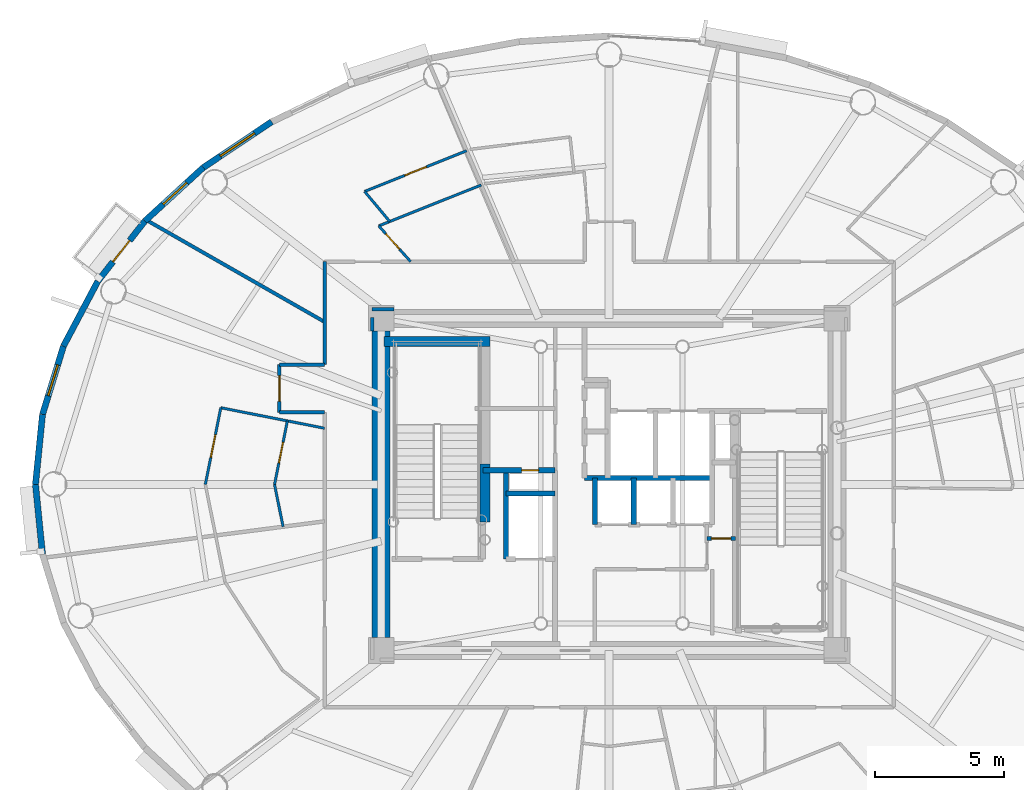
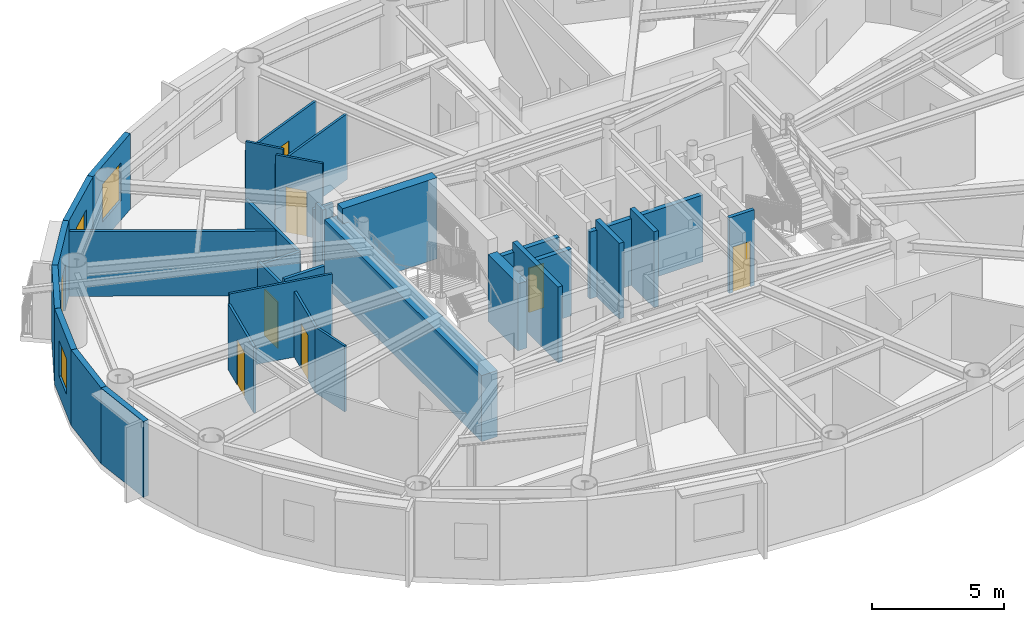
# One storey, part 7 of 17: 32 walls, 8 doors, 3 windows, 11 openings.
"""IFC4 building model written with IfcOpenShell, lengths in metres."""

from ifc_helpers import new_model, si_unit, direction, frame, frame_2d, origin, origin_2d, place, context, subcontext, project, spatial, rectangle, extrude, source, transform, mapped, material, layer, layer_set, type_object, element, fill, save


model = new_model("IFC4")

# Units and contexts
model_context = context("Model", 3, precision=1e-05, world=origin(), true_north=direction((0.0, 1.0)))
body_context = subcontext(model_context, "Body", "Model", "MODEL_VIEW")
ifc_project = project(units=[si_unit("LENGTHUNIT", "METRE"), si_unit("AREAUNIT", "SQUARE_METRE"), si_unit("VOLUMEUNIT", "CUBIC_METRE"), si_unit("PLANEANGLEUNIT", "RADIAN"), si_unit("MASSUNIT", "GRAM", prefix="KILO")], contexts=[model_context])

# Site, building, storey
site_placement = place(None, origin())
site = spatial("IfcSite", under=ifc_project, at=site_placement, CompositionType="ELEMENT")
building_placement = place(site_placement, origin())
building = spatial("IfcBuilding", under=site, at=building_placement, Name="Linh Dai School and Residence Tower", CompositionType="ELEMENT")
storey_placement = place(building_placement, frame((0.0, 0.0, 299.25)))
storey = spatial("IfcBuildingStorey", under=building, at=storey_placement, Name="L74", CompositionType="ELEMENT", Elevation=299.25)

# Wall, opening, window
ifc_material_1 = material(Name="Precast Concrete B45 (C35/45)", Category="concrete")
ifc_layer_1 = layer(ifc_material_1, 0.239990234375)
ifc_layer_set_1 = layer_set([ifc_layer_1], Name="Precast Concrete B45 (C35/45)")
wall_type_1 = type_object("IfcWallType", Name="EW-TC-240", PredefinedType="SOLIDWALL", material=ifc_layer_set_1)
wall_1_placement = place(storey_placement, frame((20.23779296875, 39.30419921875, 0.0), z_axis=(0.0, 0.0, 1.0), x_axis=(0.831250592635, 0.55589787933, 0.0)))
wall_1 = element("IfcWall", 1, at=wall_1_placement, inside=storey, type_object=wall_type_1, Name="L74 Terracotta Exterior Wall 15", PredefinedType="SOLIDWALL", context=body_context, shape_type="SweptSolid", body=[
    extrude(rectangle(XDim=3.197265625, YDim=0.239990234375, at=frame_2d((1.5986328125, 0.0))), origin(), (0.0, 0.0, 1.0), 3.5),
])
opening_1_placement = place(wall_1_placement, frame((0.798583984375, 0.0, 0.89990234375)))
opening_1 = element("IfcOpeningElement", 2, at=opening_1_placement, cuts=wall_1, Name="Opening W2", PredefinedType="OPENING", context=body_context, shape_type="SweptSolid", body=[
    extrude(rectangle(XDim=1.60009765625, YDim=1.75, at=origin_2d()), frame((0.800048828125, 0.1298828125, 0.875), z_axis=(0.0, -1.0, 0.0), x_axis=(1.0, 0.0, 0.0)), (0.0, 0.0, 1.0), 0.260009765625),
])
ifc_material_2 = material(Name="Double Low-E Insulated Glazing", Category="glass")
window_type_1 = type_object("IfcWindowType", Name="WN-RES-1600x1750", PartitioningType="DOUBLE_PANEL_VERTICAL", PredefinedType="WINDOW", material=ifc_material_2)
shared_shape_1 = source(origin(), body_context, "Body", "SweptSolid", [
    extrude(rectangle(XDim=1.60009765625, YDim=1.75, at=origin_2d()), frame((0.800048828125, 0.030029296875, 0.875), z_axis=(0.0, -1.0, 0.0), x_axis=(1.0, 0.0, 0.0)), (0.0, 0.0, 1.0), 0.06005859375),
])
window_1_placement = place(opening_1_placement, origin())
window_1 = element("IfcWindow", 3, at=window_1_placement, inside=storey, type_object=window_type_1, Name="L74 Exterior Window 15.1", OverallHeight=1.75, OverallWidth=1.60009765625, PartitioningType="DOUBLE_PANEL_VERTICAL", PredefinedType="WINDOW", context=body_context, shape_type="MappedRepresentation", body=[
    mapped(shared_shape_1, transform((0.0, 0.0, 0.0), x_axis=(1.0, 0.0, 0.0), y_axis=(0.0, 1.0, 0.0), z_axis=(0.0, 0.0, 1.0), scale=1.0)),
])
fill(opening_1, window_1)

wall_2_placement = place(storey_placement, frame((17.9697265625, 37.224609375, 0.0), z_axis=(0.0, 0.0, 1.0), x_axis=(0.737068506972, 0.675818034703, 0.0)))
wall_2 = element("IfcWall", 4, at=wall_2_placement, inside=storey, type_object=wall_type_1, Name="L74 Terracotta Exterior Wall 16", PredefinedType="SOLIDWALL", context=body_context, shape_type="SweptSolid", body=[
    extrude(rectangle(XDim=3.0771484375, YDim=0.239990234375, at=frame_2d((1.53857421875, 0.0))), origin(), (0.0, 0.0, 1.0), 3.5),
])
opening_2_placement = place(wall_2_placement, frame((0.96337890625, 0.0, 0.89990234375)))
opening_2 = element("IfcOpeningElement", 5, at=opening_2_placement, cuts=wall_2, Name="Opening W3", PredefinedType="OPENING", context=body_context, shape_type="SweptSolid", body=[
    extrude(rectangle(XDim=1.25, YDim=1.64990234375, at=origin_2d()), frame((0.625, 0.1298828125, 0.824951171875), z_axis=(0.0, -1.0, 0.0), x_axis=(1.0, 0.0, 0.0)), (0.0, 0.0, 1.0), 0.260009765625),
])
window_type_2 = type_object("IfcWindowType", Name="WN-RES-1250x1650", PartitioningType="SINGLE_PANEL", PredefinedType="WINDOW", material=ifc_material_2)
shared_shape_2 = source(origin(), body_context, "Body", "SweptSolid", [
    extrude(rectangle(XDim=1.25, YDim=1.64990234375, at=origin_2d()), frame((0.625, 0.030029296875, 0.824951171875), z_axis=(0.0, -1.0, 0.0), x_axis=(1.0, 0.0, 0.0)), (0.0, 0.0, 1.0), 0.06005859375),
])
window_2_placement = place(opening_2_placement, origin())
window_2 = element("IfcWindow", 6, at=window_2_placement, inside=storey, type_object=window_type_2, Name="L74 Exterior Window 16.1", OverallHeight=1.64990234375, OverallWidth=1.25, PartitioningType="SINGLE_PANEL", PredefinedType="WINDOW", context=body_context, shape_type="MappedRepresentation", body=[
    mapped(shared_shape_2, transform((0.0, 0.0, 0.0), x_axis=(1.0, 0.0, 0.0), y_axis=(0.0, 1.0, 0.0), z_axis=(0.0, 0.0, 1.0), scale=1.0)),
])
fill(opening_2, window_2)

# Wall, opening, door
wall_3_placement = place(storey_placement, frame((16.146240234375, 34.894775390625, 0.0), z_axis=(0.0, 0.0, 1.0), x_axis=(0.616337186556, 0.787482363275, 0.0)))
wall_3 = element("IfcWall", 7, at=wall_3_placement, inside=storey, type_object=wall_type_1, Name="L74 Terracotta Exterior Wall 17", PredefinedType="SOLIDWALL", context=body_context, shape_type="SweptSolid", body=[
    extrude(rectangle(XDim=2.95849609375, YDim=0.239990234375, at=frame_2d((1.479248046875, 0.0))), origin(), (0.0, 0.0, 1.0), 3.5),
])
opening_3_placement = place(wall_3_placement, frame((0.954345703125, 0.0, 0.0)))
opening_3 = element("IfcOpeningElement", 8, at=opening_3_placement, cuts=wall_3, Name="Opening BD1", PredefinedType="OPENING", context=body_context, shape_type="SweptSolid", body=[
    extrude(rectangle(XDim=1.050048828125, YDim=2.14990234375, at=origin_2d()), frame((0.52490234375, 0.1298828125, 1.074951171875), z_axis=(0.0, -1.0, 0.0), x_axis=(1.0, 0.0, 0.0)), (0.0, 0.0, 1.0), 0.260009765625),
])
ifc_material_3 = material(Name="Double-Glazed Balcony Door", Category="glass")
door_type_1 = type_object("IfcDoorType", Name="DR-BALC-1050x2150", OperationType="NOTDEFINED", PredefinedType="DOOR", material=ifc_material_3)
shared_shape_3 = source(origin(), body_context, "Body", "SweptSolid", [
    extrude(rectangle(XDim=1.050048828125, YDim=2.14990234375, at=origin_2d()), frame((0.52490234375, 0.02490234375, 1.074951171875), z_axis=(0.0, -1.0, 0.0), x_axis=(1.0, 0.0, 0.0)), (0.0, 0.0, 1.0), 0.050048828125),
])
door_1_placement = place(opening_3_placement, origin())
door_1 = element("IfcDoor", 9, at=door_1_placement, inside=storey, type_object=door_type_1, Name="L74 Glazed Balcony Door 17", OperationType="SINGLE_SWING_RIGHT", OverallHeight=2.14990234375, OverallWidth=1.050048828125, PredefinedType="DOOR", context=body_context, shape_type="MappedRepresentation", body=[
    mapped(shared_shape_3, transform((0.0, 0.0, 0.0), x_axis=(1.0, 0.0, 0.0), y_axis=(0.0, 1.0, 0.0), z_axis=(0.0, 0.0, 1.0), scale=1.0)),
])
fill(opening_3, door_1)

# Wall
wall_4_placement = place(storey_placement, frame((14.811767578125, 32.372314453125, 0.0), z_axis=(0.0, 0.0, 1.0), x_axis=(0.467628269026, 0.883925224218, 0.0)))
element("IfcWall", 10, at=wall_4_placement, inside=storey, type_object=wall_type_1, Name="L74 Terracotta Exterior Wall 18", PredefinedType="SOLIDWALL", context=body_context, shape_type="SweptSolid", body=[
    extrude(rectangle(XDim=2.853759765625, YDim=0.239990234375, at=frame_2d((1.4267578125, 0.0))), origin(), (0.0, 0.0, 1.0), 3.5),
])

# Wall, opening, window
wall_5_placement = place(storey_placement, frame((13.998291015625, 29.718994140625, 0.0), z_axis=(0.0, 0.0, 1.0), x_axis=(0.2931213403, 0.956075248012, 0.0)))
wall_5 = element("IfcWall", 11, at=wall_5_placement, inside=storey, type_object=wall_type_1, Name="L74 Terracotta Exterior Wall 19", PredefinedType="SOLIDWALL", context=body_context, shape_type="SweptSolid", body=[
    extrude(rectangle(XDim=2.775146484375, YDim=0.239990234375, at=frame_2d((1.3876953125, 0.0))), origin(), (0.0, 0.0, 1.0), 3.5),
])
opening_4_placement = place(wall_5_placement, frame((0.7626953125, 0.0, 0.89990234375)))
opening_4 = element("IfcOpeningElement", 12, at=opening_4_placement, cuts=wall_5, Name="Opening W3", PredefinedType="OPENING", context=body_context, shape_type="SweptSolid", body=[
    extrude(rectangle(XDim=1.25, YDim=1.64990234375, at=origin_2d()), frame((0.625, 0.1298828125, 0.824951171875), z_axis=(0.0, -1.0, 0.0), x_axis=(1.0, 0.0, 0.0)), (0.0, 0.0, 1.0), 0.260009765625),
])
window_3_placement = place(opening_4_placement, origin())
window_3 = element("IfcWindow", 13, at=window_3_placement, inside=storey, type_object=window_type_2, Name="L74 Exterior Window 19.1", OverallHeight=1.64990234375, OverallWidth=1.25, PartitioningType="SINGLE_PANEL", PredefinedType="WINDOW", context=body_context, shape_type="MappedRepresentation", body=[
    mapped(shared_shape_2, transform((0.0, 0.0, 0.0), x_axis=(1.0, 0.0, 0.0), y_axis=(0.0, 1.0, 0.0), z_axis=(0.0, 0.0, 1.0), scale=1.0)),
])
fill(opening_4, window_3)

# Walls
for number, where, z_axis, x_axis, name in (
    (14, (13.72509765625, 27.0, 0.0), (0.0, 0.0, 1.0), (0.099972526841, 0.99499019788, 0.0), "L74 Terracotta Exterior Wall 20"),
    (15, (13.998291015625, 24.281005859375, 0.0), (0.0, 0.0, 1.0), (-0.099972526841, 0.99499019788, 0.0), "L74 Terracotta Exterior Wall 21"),
):
    element("IfcWall", number, at=place(storey_placement, frame(where, z_axis=z_axis, x_axis=x_axis)), inside=storey, type_object=wall_type_1, Name=name, PredefinedType="SOLIDWALL", context=body_context, shape_type="SweptSolid", body=[
        extrude(rectangle(XDim=2.732666015625, YDim=0.239990234375, at=frame_2d((1.3662109375, 0.0))), origin(), (0.0, 0.0, 1.0), 3.5),
    ])
ifc_material_4 = material(Name="Autoclaved Aerated Concrete Blockwork", Category="masonry")
ifc_layer_2 = layer(ifc_material_4, 0.135009765625)
ifc_layer_set_2 = layer_set([ifc_layer_2], Name="Autoclaved Aerated Concrete Blockwork")
wall_type_2 = type_object("IfcWallType", Name="IW-CORR-135-EI90", PredefinedType="PARTITIONING", material=ifc_layer_set_2)
wall_6_placement = place(storey_placement, frame((18.016357421875, 37.2744140625, 0.0), z_axis=(0.0, 0.0, 1.0), x_axis=(0.868277005727, -0.496079672357, 0.0)))
element("IfcWall", 16, at=wall_6_placement, inside=storey, type_object=wall_type_2, Name="L74 Interior Partition Wall 002", PredefinedType="PARTITIONING", context=body_context, shape_type="SweptSolid", body=[
    extrude(rectangle(XDim=7.9853515625, YDim=0.135009765625, at=frame_2d((3.99267578125, 0.0))), origin(), (0.0, 0.0, 1.0), 2.985107421875),
])

# Wall, opening, door
wall_7_placement = place(storey_placement, frame((23.199951171875, 29.800048828125, 0.0), z_axis=(0.0, 0.0, 1.0), x_axis=(0.0, 1.0, 0.0)))
wall_7 = element("IfcWall", 17, at=wall_7_placement, inside=storey, type_object=wall_type_2, Name="L74 Interior Partition Wall 011", PredefinedType="PARTITIONING", context=body_context, shape_type="SweptSolid", body=[
    extrude(rectangle(XDim=1.849853515625, YDim=0.135009765625, at=frame_2d((0.9248046875, 0.0))), origin(), (0.0, 0.0, 1.0), 3.18505859375),
])
opening_5_placement = place(wall_7_placement, frame((0.425048828125, 0.0, 0.0)))
opening_5 = element("IfcOpeningElement", 18, at=opening_5_placement, cuts=wall_7, Name="Opening D03", PredefinedType="OPENING", context=body_context, shape_type="SweptSolid", body=[
    extrude(rectangle(XDim=1.0, YDim=2.14990234375, at=origin_2d()), frame((0.5, 0.07763671875, 1.074951171875), z_axis=(0.0, -1.0, 0.0), x_axis=(1.0, 0.0, 0.0)), (0.0, 0.0, 1.0), 0.155029296875),
])
ifc_material_5 = material(Name="Fire-Rated Solid Timber Entrance Door", Category="wood")
door_type_2 = type_object("IfcDoorType", Name="DR-FLAT-1000x2150-FD60S", OperationType="NOTDEFINED", PredefinedType="DOOR", material=ifc_material_5)
shared_shape_4 = source(origin(), body_context, "Body", "SweptSolid", [
    extrude(rectangle(XDim=1.0, YDim=2.14990234375, at=origin_2d()), frame((0.5, 0.02490234375, 1.074951171875), z_axis=(0.0, -1.0, 0.0), x_axis=(1.0, 0.0, 0.0)), (0.0, 0.0, 1.0), 0.050048828125),
])
door_2_placement = place(opening_5_placement, origin())
door_2 = element("IfcDoor", 19, at=door_2_placement, inside=storey, type_object=door_type_2, Name="L74 U7403 Apartment Entrance Door", OperationType="SINGLE_SWING_RIGHT", OverallHeight=2.14990234375, OverallWidth=1.0, PredefinedType="DOOR", context=body_context, shape_type="MappedRepresentation", body=[
    mapped(shared_shape_4, transform((0.0, 0.0, 0.0), x_axis=(1.0, 0.0, 0.0), y_axis=(0.0, 1.0, 0.0), z_axis=(0.0, 0.0, 1.0), scale=1.0)),
])
fill(opening_5, door_2)

# Walls
wall_8_placement = place(storey_placement, frame((23.199951171875, 29.800048828125, 0.0), z_axis=(0.0, 0.0, 1.0), x_axis=(1.0, 0.0, 0.0)))
element("IfcWall", 20, at=wall_8_placement, inside=storey, type_object=wall_type_2, Name="L74 Interior Partition Wall 012", PredefinedType="PARTITIONING", context=body_context, shape_type="SweptSolid", body=[
    extrude(rectangle(XDim=1.75, YDim=0.135009765625, at=frame_2d((0.875, 0.0))), origin(), (0.0, 0.0, 1.0), 3.5),
])
wall_9_placement = place(storey_placement, frame((23.199951171875, 31.64990234375, 0.0), z_axis=(0.0, 0.0, 1.0), x_axis=(1.0, 0.0, 0.0)))
element("IfcWall", 21, at=wall_9_placement, inside=storey, type_object=wall_type_2, Name="L74 Interior Partition Wall 013", PredefinedType="PARTITIONING", context=body_context, shape_type="SweptSolid", body=[
    extrude(rectangle(XDim=1.75, YDim=0.135009765625, at=frame_2d((0.875, 0.0))), origin(), (0.0, 0.0, 1.0), 3.034912109375),
])
wall_10_placement = place(storey_placement, frame((24.949951171875, 31.64990234375, 0.0), z_axis=(0.0, 0.0, 1.0), x_axis=(0.0, 1.0, 0.0)))
element("IfcWall", 22, at=wall_10_placement, inside=storey, type_object=wall_type_2, Name="L74 Interior Partition Wall 018", PredefinedType="PARTITIONING", context=body_context, shape_type="SweptSolid", body=[
    extrude(rectangle(XDim=4.0, YDim=0.135009765625, at=frame_2d((2.0, 0.0))), origin(), (0.0, 0.0, 1.0), 3.034912109375),
])
wall_11_placement = place(storey_placement, frame((27.639892578125, 33.800048828125, 0.0), z_axis=(0.0, 0.0, 1.0), x_axis=(-1.0, 0.0, 0.0)))
element("IfcWall", 23, at=wall_11_placement, inside=storey, type_object=wall_type_2, Name="L74 Interior Partition Wall 093", PredefinedType="PARTITIONING", context=body_context, shape_type="SweptSolid", body=[
    extrude(rectangle(XDim=0.83984375, YDim=0.135009765625, at=frame_2d((0.419921875, 0.0))), origin(), (0.0, 0.0, 1.0), 3.034912109375),
])
wall_12_placement = place(storey_placement, frame((26.800048828125, 33.492431640625, 0.0), z_axis=(0.0, 0.0, 1.0), x_axis=(0.0, -1.0, 0.0)))
element("IfcWall", 24, at=wall_12_placement, inside=storey, type_object=wall_type_2, Name="L74 Interior Partition Wall 094", PredefinedType="PARTITIONING", context=body_context, shape_type="SweptSolid", body=[
    extrude(rectangle(XDim=0.532470703125, YDim=0.135009765625, at=frame_2d((0.26611328125, 0.0))), origin(), (0.0, 0.0, 1.0), 3.5),
])

# Wall, opening, door
ifc_layer_3 = layer(ifc_material_4, 0.14990234375)
ifc_layer_set_3 = layer_set([ifc_layer_3], Name="Autoclaved Aerated Concrete Blockwork")
wall_type_3 = type_object("IfcWallType", Name="IW-SCH-150-EI60", PredefinedType="PARTITIONING", material=ifc_layer_set_3)
wall_13_placement = place(storey_placement, frame((39.800048828125, 24.89990234375, 0.0), z_axis=(0.0, 0.0, 1.0), x_axis=(1.0, 0.0, 0.0)))
wall_13 = element("IfcWall", 25, at=wall_13_placement, inside=storey, type_object=wall_type_3, Name="L74 Interior Partition Wall 066", PredefinedType="PARTITIONING", context=body_context, shape_type="SweptSolid", body=[
    extrude(rectangle(XDim=1.099853515625, YDim=0.14990234375, at=frame_2d((0.5498046875, 0.0))), origin(), (0.0, 0.0, 1.0), 3.5),
])
opening_6_placement = place(wall_13_placement, frame((0.169921875, 0.0, 0.0)))
opening_6 = element("IfcOpeningElement", 26, at=opening_6_placement, cuts=wall_13, Name="Opening D08", PredefinedType="OPENING", context=body_context, shape_type="SweptSolid", body=[
    extrude(rectangle(XDim=0.760009765625, YDim=2.10009765625, at=origin_2d()), frame((0.3798828125, 0.0849609375, 1.050048828125), z_axis=(0.0, -1.0, 0.0), x_axis=(1.0, 0.0, 0.0)), (0.0, 0.0, 1.0), 0.169921875),
])
ifc_material_6 = material(Name="Engineered Timber Closet and Study Door", Category="wood")
door_type_3 = type_object("IfcDoorType", Name="DR-CMP-760x2100", OperationType="NOTDEFINED", PredefinedType="DOOR", material=ifc_material_6)
shared_shape_5 = source(origin(), body_context, "Body", "SweptSolid", [
    extrude(rectangle(XDim=0.760009765625, YDim=2.10009765625, at=origin_2d()), frame((0.3798828125, 0.02490234375, 1.050048828125), z_axis=(0.0, -1.0, 0.0), x_axis=(1.0, 0.0, 0.0)), (0.0, 0.0, 1.0), 0.050048828125),
])
door_3_placement = place(opening_6_placement, origin())
door_3 = element("IfcDoor", 27, at=door_3_placement, inside=storey, type_object=door_type_3, Name="L74 NE Cleaners Store Door", OperationType="SINGLE_SWING_RIGHT", OverallHeight=2.10009765625, OverallWidth=0.760009765625, PredefinedType="DOOR", context=body_context, shape_type="MappedRepresentation", body=[
    mapped(shared_shape_5, transform((0.0, 0.0, 0.0), x_axis=(1.0, 0.0, 0.0), y_axis=(0.0, 1.0, 0.0), z_axis=(0.0, 0.0, 1.0), scale=1.0)),
])
fill(opening_6, door_3)

ifc_material_7 = material(Name="Concrete B45 (C35/45)", Category="concrete")
ifc_layer_4 = layer(ifc_material_7, 0.199951171875)
ifc_layer_set_4 = layer_set([ifc_layer_4], Name="Concrete B45 (C35/45)")
wall_type_4 = type_object("IfcWallType", Name="IW-SHAFT-200-EI120", PredefinedType="PARTITIONING", material=ifc_layer_set_4)
wall_14_placement = place(storey_placement, frame((31.10009765625, 27.550048828125, 0.0), z_axis=(0.0, 0.0, 1.0), x_axis=(1.0, 0.0, 0.0)))
wall_14 = element("IfcWall", 28, at=wall_14_placement, inside=storey, type_object=wall_type_4, Name="L74 Interior Partition Wall 030", PredefinedType="PARTITIONING", context=body_context, shape_type="SweptSolid", body=[
    extrude(rectangle(XDim=2.7998046875, YDim=0.199951171875, at=frame_2d((1.39990234375, 0.0))), origin(), (0.0, 0.0, 1.0), 3.0849609375),
])
opening_7_placement = place(wall_14_placement, frame((1.5, 0.0, 0.0)))
opening_7 = element("IfcOpeningElement", 29, at=opening_7_placement, cuts=wall_14, Name="Opening AD1", PredefinedType="OPENING", context=body_context, shape_type="SweptSolid", body=[
    extrude(rectangle(XDim=0.659912109375, YDim=2.050048828125, at=origin_2d()), frame((0.330078125, 0.10986328125, 1.02490234375), z_axis=(0.0, -1.0, 0.0), x_axis=(1.0, 0.0, 0.0)), (0.0, 0.0, 1.0), 0.219970703125),
])
ifc_material_8 = material(Name="Fire-Rated Steel Riser Access Door", Category="steel")
door_type_4 = type_object("IfcDoorType", Name="DR-ACC-660x2050-FD90S", OperationType="NOTDEFINED", PredefinedType="USERDEFINED", material=ifc_material_8)
shared_shape_6 = source(origin(), body_context, "Body", "SweptSolid", [
    extrude(rectangle(XDim=0.659912109375, YDim=2.050048828125, at=origin_2d()), frame((0.330078125, 0.02490234375, 1.02490234375), z_axis=(0.0, -1.0, 0.0), x_axis=(1.0, 0.0, 0.0)), (0.0, 0.0, 1.0), 0.050048828125),
])
door_4_placement = place(opening_7_placement, origin())
door_4 = element("IfcDoor", 30, at=door_4_placement, inside=storey, type_object=door_type_4, Name="L74 Main Electrical Riser Access Door", ObjectType="ACCESS DOOR", OperationType="SINGLE_SWING_LEFT", OverallHeight=2.050048828125, OverallWidth=0.659912109375, PredefinedType="USERDEFINED", context=body_context, shape_type="MappedRepresentation", body=[
    mapped(shared_shape_6, transform((0.0, 0.0, 0.0), x_axis=(1.0, 0.0, 0.0), y_axis=(0.0, 1.0, 0.0), z_axis=(0.0, 0.0, 1.0), scale=1.0)),
])
fill(opening_7, door_4)

# Walls
wall_15_placement = place(storey_placement, frame((32.0, 24.10009765625, 0.0), z_axis=(0.0, 0.0, 1.0), x_axis=(0.0, 1.0, 0.0)))
element("IfcWall", 31, at=wall_15_placement, inside=storey, type_object=wall_type_4, Name="L74 Interior Partition Wall 032", PredefinedType="PARTITIONING", context=body_context, shape_type="SweptSolid", body=[
    extrude(rectangle(XDim=3.449951171875, YDim=0.199951171875, at=frame_2d((1.72509765625, 0.0))), origin(), (0.0, 0.0, 1.0), 3.5),
])
wall_16_placement = place(storey_placement, frame((32.0, 26.64990234375, 0.0), z_axis=(0.0, 0.0, 1.0), x_axis=(1.0, 0.0, 0.0)))
element("IfcWall", 32, at=wall_16_placement, inside=storey, type_object=wall_type_4, Name="L74 Interior Partition Wall 034", PredefinedType="PARTITIONING", context=body_context, shape_type="SweptSolid", body=[
    extrude(rectangle(XDim=1.89990234375, YDim=0.199951171875, at=frame_2d((0.949951171875, 0.0))), origin(), (0.0, 0.0, 1.0), 3.0849609375),
])
wall_17_placement = place(storey_placement, frame((35.050048828125, 27.25, 0.0), z_axis=(0.0, 0.0, 1.0), x_axis=(1.0, 0.0, 0.0)))
element("IfcWall", 33, at=wall_17_placement, inside=storey, type_object=wall_type_4, Name="L74 Interior Partition Wall 043", PredefinedType="PARTITIONING", context=body_context, shape_type="SweptSolid", body=[
    extrude(rectangle(XDim=4.949951171875, YDim=0.199951171875, at=frame_2d((2.47509765625, 0.0))), origin(), (0.0, 0.0, 1.0), 3.0849609375),
])
for number, where, z_axis, x_axis, name in (
    (34, (35.449951171875, 25.449951171875, 0.0), (0.0, 0.0, 1.0), (0.0, 1.0, 0.0), "L74 Interior Partition Wall 052"),
    (35, (36.9599609375, 25.449951171875, 0.0), (0.0, 0.0, 1.0), (0.0, 1.0, 0.0), "L74 Interior Partition Wall 060"),
):
    element("IfcWall", number, at=place(storey_placement, frame(where, z_axis=z_axis, x_axis=x_axis)), inside=storey, type_object=wall_type_4, Name=name, PredefinedType="PARTITIONING", context=body_context, shape_type="SweptSolid", body=[
        extrude(rectangle(XDim=1.800048828125, YDim=0.199951171875, at=frame_2d((0.89990234375, 0.0))), origin(), (0.0, 0.0, 1.0), 3.5),
    ])

# Wall, opening, door
ifc_material_9 = material(Name="Gypsum Plasterboard Acoustic Stud Partition", Category="masonry")
ifc_layer_5 = layer(ifc_material_9, 0.10009765625)
ifc_layer_set_5 = layer_set([ifc_layer_5], Name="Gypsum Plasterboard Acoustic Stud Partition")
wall_type_5 = type_object("IfcWallType", Name="IW-UNIT-100", PredefinedType="PARTITIONING", material=ifc_layer_set_5)
wall_18_placement = place(storey_placement, frame((20.320068359375, 27.0, 0.0), z_axis=(0.0, 0.0, 1.0), x_axis=(0.198201469781, 0.980161301713, 0.0)))
wall_18 = element("IfcWall", 36, at=wall_18_placement, inside=storey, type_object=wall_type_5, Name="L74 Interior Partition Wall 004", PredefinedType="PARTITIONING", context=body_context, shape_type="SweptSolid", body=[
    extrude(rectangle(XDim=3.038818359375, YDim=0.10009765625, at=frame_2d((1.51953125, 0.0))), origin(), (0.0, 0.0, 1.0), 3.034912109375),
])
opening_8_placement = place(wall_18_placement, frame((1.0693359375, 0.0, 0.0)))
opening_8 = element("IfcOpeningElement", 37, at=opening_8_placement, cuts=wall_18, Name="Opening D05", PredefinedType="OPENING", context=body_context, shape_type="SweptSolid", body=[
    extrude(rectangle(XDim=0.89990234375, YDim=2.10009765625, at=origin_2d()), frame((0.449951171875, 0.06005859375, 1.050048828125), z_axis=(0.0, -1.0, 0.0), x_axis=(1.0, 0.0, 0.0)), (0.0, 0.0, 1.0), 0.1201171875),
])
ifc_material_10 = material(Name="Engineered Timber Internal Door", Category="wood")
door_type_5 = type_object("IfcDoorType", Name="DR-INT-900x2100", OperationType="NOTDEFINED", PredefinedType="DOOR", material=ifc_material_10)
shared_shape_7 = source(origin(), body_context, "Body", "SweptSolid", [
    extrude(rectangle(XDim=0.89990234375, YDim=2.10009765625, at=origin_2d()), frame((0.449951171875, 0.02490234375, 1.050048828125), z_axis=(0.0, -1.0, 0.0), x_axis=(1.0, 0.0, 0.0)), (0.0, 0.0, 1.0), 0.050048828125),
])
door_5_placement = place(opening_8_placement, origin())
door_5 = element("IfcDoor", 38, at=door_5_placement, inside=storey, type_object=door_type_5, Name="L74 Apartment U7403 Kitchen Door", OperationType="SINGLE_SWING_LEFT", OverallHeight=2.10009765625, OverallWidth=0.89990234375, PredefinedType="DOOR", context=body_context, shape_type="MappedRepresentation", body=[
    mapped(shared_shape_7, transform((0.0, 0.0, 0.0), x_axis=(1.0, 0.0, 0.0), y_axis=(0.0, 1.0, 0.0), z_axis=(0.0, 0.0, 1.0), scale=1.0)),
])
fill(opening_8, door_5)

# Walls
wall_19_placement = place(storey_placement, frame((20.92236328125, 29.978515625, 0.0), z_axis=(0.0, 0.0, 1.0), x_axis=(0.981042206934, -0.19379419035, 0.0)))
element("IfcWall", 39, at=wall_19_placement, inside=storey, type_object=wall_type_5, Name="L74 Interior Partition Wall 006", PredefinedType="PARTITIONING", context=body_context, shape_type="SweptSolid", body=[
    extrude(rectangle(XDim=4.105712890625, YDim=0.10009765625, at=frame_2d((2.052734375, 0.0))), origin(), (0.0, 0.0, 1.0), 3.5),
])
wall_20_placement = place(storey_placement, frame((23.008056640625, 27.0, 0.0), z_axis=(0.0, 0.0, 1.0), x_axis=(0.198189512146, -0.980163719628, 0.0)))
element("IfcWall", 40, at=wall_20_placement, inside=storey, type_object=wall_type_5, Name="L74 Interior Partition Wall 009", PredefinedType="PARTITIONING", context=body_context, shape_type="SweptSolid", body=[
    extrude(rectangle(XDim=1.67529296875, YDim=0.10009765625, at=frame_2d((0.837646484375, 0.0))), origin(), (0.0, 0.0, 1.0), 3.034912109375),
])

# Wall, opening, door
wall_21_placement = place(storey_placement, frame((23.008056640625, 27.0, 0.0), z_axis=(0.0, 0.0, 1.0), x_axis=(0.19818541272, 0.980164548525, 0.0)))
wall_21 = element("IfcWall", 41, at=wall_21_placement, inside=storey, type_object=wall_type_5, Name="L74 Interior Partition Wall 010", PredefinedType="PARTITIONING", context=body_context, shape_type="SweptSolid", body=[
    extrude(rectangle(XDim=2.51806640625, YDim=0.10009765625, at=frame_2d((1.259033203125, 0.0))), origin(), (0.0, 0.0, 1.0), 3.034912109375),
])
opening_9_placement = place(wall_21_placement, frame((0.84912109375, 0.0, 0.0)))
opening_9 = element("IfcOpeningElement", 42, at=opening_9_placement, cuts=wall_21, Name="Opening D06", PredefinedType="OPENING", context=body_context, shape_type="SweptSolid", body=[
    extrude(rectangle(XDim=0.820068359375, YDim=2.10009765625, at=origin_2d()), frame((0.41015625, 0.06005859375, 1.050048828125), z_axis=(0.0, -1.0, 0.0), x_axis=(1.0, 0.0, 0.0)), (0.0, 0.0, 1.0), 0.1201171875),
])
ifc_material_11 = material(Name="Moisture-Resistant Timber Bathroom Door", Category="wood")
door_type_6 = type_object("IfcDoorType", Name="DR-WET-820x2100", OperationType="NOTDEFINED", PredefinedType="DOOR", material=ifc_material_11)
shared_shape_8 = source(origin(), body_context, "Body", "SweptSolid", [
    extrude(rectangle(XDim=0.820068359375, YDim=2.10009765625, at=origin_2d()), frame((0.41015625, 0.02490234375, 1.050048828125), z_axis=(0.0, -1.0, 0.0), x_axis=(1.0, 0.0, 0.0)), (0.0, 0.0, 1.0), 0.050048828125),
])
door_6_placement = place(opening_9_placement, origin())
door_6 = element("IfcDoor", 43, at=door_6_placement, inside=storey, type_object=door_type_6, Name="L74 Apartment U7403 Bathroom Door", OperationType="SINGLE_SWING_RIGHT", OverallHeight=2.10009765625, OverallWidth=0.820068359375, PredefinedType="DOOR", context=body_context, shape_type="MappedRepresentation", body=[
    mapped(shared_shape_8, transform((0.0, 0.0, 0.0), x_axis=(1.0, 0.0, 0.0), y_axis=(0.0, 1.0, 0.0), z_axis=(0.0, 0.0, 1.0), scale=1.0)),
])
fill(opening_9, door_6)

# Wall
wall_22_placement = place(storey_placement, frame((26.507080078125, 38.378173828125, 0.0), z_axis=(0.0, 0.0, 1.0), x_axis=(0.640626707989, -0.767852473468, 0.0)))
element("IfcWall", 44, at=wall_22_placement, inside=storey, type_object=wall_type_5, Name="L74 Interior Partition Wall 020", PredefinedType="PARTITIONING", context=body_context, shape_type="SweptSolid", body=[
    extrude(rectangle(XDim=1.519775390625, YDim=0.10009765625, at=frame_2d((0.759765625, 0.0))), origin(), (0.0, 0.0, 1.0), 3.5),
])

# Wall, opening, door
wall_23_placement = place(storey_placement, frame((26.507080078125, 38.378173828125, 0.0), z_axis=(0.0, 0.0, 1.0), x_axis=(0.928788495711, 0.370610213345, 0.0)))
wall_23 = element("IfcWall", 45, at=wall_23_placement, inside=storey, type_object=wall_type_5, Name="L74 Interior Partition Wall 021", PredefinedType="PARTITIONING", context=body_context, shape_type="SweptSolid", body=[
    extrude(rectangle(XDim=4.261474609375, YDim=0.10009765625, at=frame_2d((2.130859375, 0.0))), origin(), (0.0, 0.0, 1.0), 3.034912109375),
])
opening_10_placement = place(wall_23_placement, frame((1.680908203125, 0.0, 0.0)))
opening_10 = element("IfcOpeningElement", 46, at=opening_10_placement, cuts=wall_23, Name="Opening D05", PredefinedType="OPENING", context=body_context, shape_type="SweptSolid", body=[
    extrude(rectangle(XDim=0.89990234375, YDim=2.10009765625, at=origin_2d()), frame((0.449951171875, 0.06005859375, 1.050048828125), z_axis=(0.0, -1.0, 0.0), x_axis=(1.0, 0.0, 0.0)), (0.0, 0.0, 1.0), 0.1201171875),
])
door_7_placement = place(opening_10_placement, origin())
door_7 = element("IfcDoor", 47, at=door_7_placement, inside=storey, type_object=door_type_5, Name="L74 Apartment U7402 Kitchen Door", OperationType="SINGLE_SWING_LEFT", OverallHeight=2.10009765625, OverallWidth=0.89990234375, PredefinedType="DOOR", context=body_context, shape_type="MappedRepresentation", body=[
    mapped(shared_shape_7, transform((0.0, 0.0, 0.0), x_axis=(1.0, 0.0, 0.0), y_axis=(0.0, 1.0, 0.0), z_axis=(0.0, 0.0, 1.0), scale=1.0)),
])
fill(opening_10, door_7)

wall_24_placement = place(storey_placement, frame((27.054931640625, 37.04150390625, 0.0), z_axis=(0.0, 0.0, 1.0), x_axis=(0.665119722178, -0.746736737525, 0.0)))
wall_24 = element("IfcWall", 48, at=wall_24_placement, inside=storey, type_object=wall_type_5, Name="L74 Interior Partition Wall 022", PredefinedType="PARTITIONING", context=body_context, shape_type="SweptSolid", body=[
    extrude(rectangle(XDim=1.863525390625, YDim=0.10009765625, at=frame_2d((0.931640625, 0.0))), origin(), (0.0, 0.0, 1.0), 3.5),
])
opening_11_placement = place(wall_24_placement, frame((0.401123046875, 0.0, 0.0)))
opening_11 = element("IfcOpeningElement", 49, at=opening_11_placement, cuts=wall_24, Name="Opening D06", PredefinedType="OPENING", context=body_context, shape_type="SweptSolid", body=[
    extrude(rectangle(XDim=0.820068359375, YDim=2.10009765625, at=origin_2d()), frame((0.41015625, 0.06005859375, 1.050048828125), z_axis=(0.0, -1.0, 0.0), x_axis=(1.0, 0.0, 0.0)), (0.0, 0.0, 1.0), 0.1201171875),
])
door_8_placement = place(opening_11_placement, origin())
door_8 = element("IfcDoor", 50, at=door_8_placement, inside=storey, type_object=door_type_6, Name="L74 Apartment U7402 Bathroom Door", OperationType="SINGLE_SWING_RIGHT", OverallHeight=2.10009765625, OverallWidth=0.820068359375, PredefinedType="DOOR", context=body_context, shape_type="MappedRepresentation", body=[
    mapped(shared_shape_8, transform((0.0, 0.0, 0.0), x_axis=(1.0, 0.0, 0.0), y_axis=(0.0, 1.0, 0.0), z_axis=(0.0, 0.0, 1.0), scale=1.0)),
])
fill(opening_11, door_8)

# Walls
wall_25_placement = place(storey_placement, frame((27.054931640625, 37.04150390625, 0.0), z_axis=(0.0, 0.0, 1.0), x_axis=(0.928814416372, 0.370545246819, 0.0)))
element("IfcWall", 51, at=wall_25_placement, inside=storey, type_object=wall_type_5, Name="L74 Interior Partition Wall 023", PredefinedType="PARTITIONING", context=body_context, shape_type="SweptSolid", body=[
    extrude(rectangle(XDim=4.28271484375, YDim=0.10009765625, at=frame_2d((2.141357421875, 0.0))), origin(), (0.0, 0.0, 1.0), 3.034912109375),
])
ifc_layer_6 = layer(ifc_material_7, 0.39990234375)
ifc_layer_set_6 = layer_set([ifc_layer_6], Name="Concrete B45 (C35/45)")
wall_type_6 = type_object("IfcWallType", Name="WL-CORE400", PredefinedType="SHEAR", material=ifc_layer_set_6)
wall_26_placement = place(storey_placement, frame((27.25, 32.550048828125, 0.0), z_axis=(0.0, 0.0, 1.0), x_axis=(1.0, 0.0, 0.0)))
element("IfcWall", 52, at=wall_26_placement, inside=storey, type_object=wall_type_6, Name="L74 Core Stair ST1 Bearing Wall N", PredefinedType="SHEAR", context=body_context, shape_type="SweptSolid", body=[
    extrude(rectangle(XDim=4.1298828125, YDim=0.39990234375, at=frame_2d((2.06494140625, 0.0))), origin(), (0.0, 0.0, 1.0), 3.75),
])
wall_27_placement = place(storey_placement, frame((31.179931640625, 25.550048828125, 0.0), z_axis=(0.0, 0.0, 1.0), x_axis=(0.0, 1.0, 0.0)))
element("IfcWall", 53, at=wall_27_placement, inside=storey, type_object=wall_type_6, Name="L74 Internal Core Shear Wall IW", PredefinedType="SHEAR", context=body_context, shape_type="SweptSolid", body=[
    extrude(rectangle(XDim=2.25, YDim=0.39990234375, at=frame_2d((1.125, 0.0))), origin(), (0.0, 0.0, 1.0), 3.10009765625),
])
ifc_layer_7 = layer(ifc_material_7, 0.699951171875)
ifc_layer_set_7 = layer_set([ifc_layer_7], Name="Concrete B45 (C35/45)")
wall_type_7 = type_object("IfcWallType", Name="WL-CORE700", PredefinedType="SHEAR", material=ifc_layer_set_7)
wall_28_placement = place(storey_placement, frame((27.14990234375, 21.050048828125, 0.0), z_axis=(0.0, 0.0, 1.0), x_axis=(0.0, 1.0, 0.0)))
element("IfcWall", 54, at=wall_28_placement, inside=storey, type_object=wall_type_7, Name="L74 Central Core Shear Wall W", PredefinedType="SHEAR", context=body_context, shape_type="SweptSolid", body=[
    extrude(rectangle(XDim=11.89990234375, YDim=0.699951171875, at=frame_2d((5.949951171875, 0.0))), origin(), (0.0, 0.0, 1.0), 3.050048828125),
])

save(model, "model.ifc")
